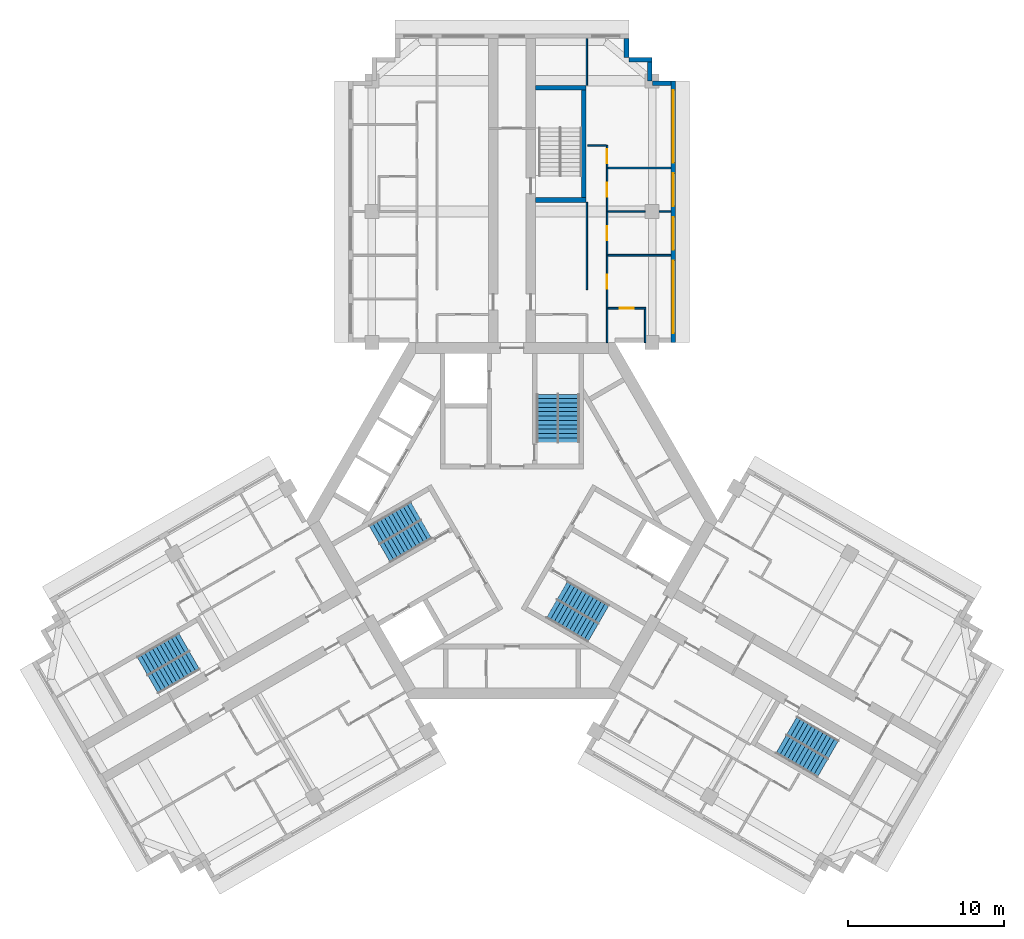
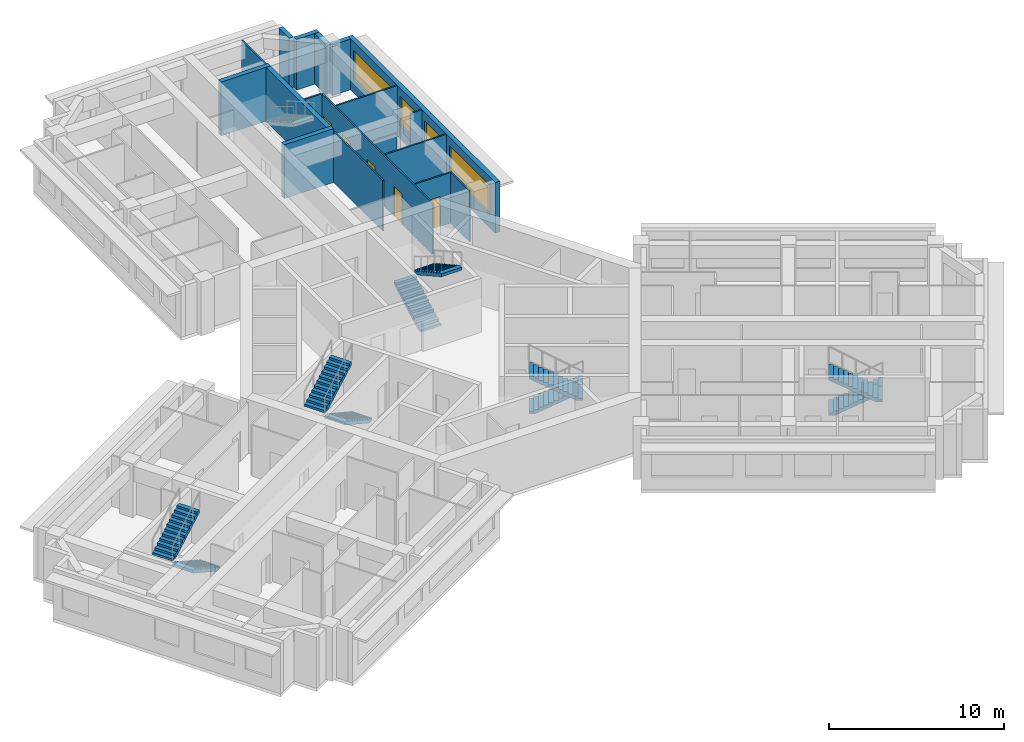
# One storey, part 8 of 10: 18 walls, 10 stair flights, 5 doors, 4 windows, 9 openings, 5 elements without a shape of their own.
"""IFC4 building model written with IfcOpenShell, lengths in metres."""

from ifc_helpers import new_model, si_unit, direction, frame, frame_2d, origin, place, context, subcontext, project, spatial, polyline, rectangle, outline, extrude, material, layer, layer_set, type_object, element, fill, aggregate, save


model = new_model("IFC4")

# Units and contexts
model_context = context("Model", 3, precision=1e-05, world=origin(), true_north=direction((0.0, 1.0)))
body_context = subcontext(model_context, "Body", "Model", "MODEL_VIEW")
ifc_project = project(units=[si_unit("LENGTHUNIT", "METRE"), si_unit("AREAUNIT", "SQUARE_METRE"), si_unit("VOLUMEUNIT", "CUBIC_METRE"), si_unit("PLANEANGLEUNIT", "RADIAN"), si_unit("MASSUNIT", "GRAM", prefix="KILO")], contexts=[model_context])

# Site, building, storey
site_placement = place(None, origin())
site = spatial("IfcSite", under=ifc_project, at=site_placement, CompositionType="ELEMENT")
building_placement = place(site_placement, origin())
building = spatial("IfcBuilding", under=site, at=building_placement, Name="Impinga Residences", CompositionType="ELEMENT")
storey_placement = place(building_placement, frame((0.0, 0.0, 256.0)))
storey = spatial("IfcBuildingStorey", under=building, at=storey_placement, Name="L64", CompositionType="ELEMENT", Elevation=256.0)

# Walls
ifc_material_1 = material(Name="Terracotta rainscreen on blockwork", Category="masonry")
ifc_layer_1 = layer(ifc_material_1, 0.300048828125)
ifc_layer_set_1 = layer_set([ifc_layer_1], Name="EW1 external wall, terracotta rainscreen on blockwork 300")
wall_type_1 = type_object("IfcWallType", Name="EW1 external wall, terracotta rainscreen on blockwork 300", PredefinedType="SOLIDWALL", material=ifc_layer_set_1)
wall_1_placement = place(storey_placement, frame((7.35009765625, 30.931640625, 0.0), z_axis=(0.0, 0.0, 1.0), x_axis=(0.0, -1.0, 0.0)))
element("IfcWall", 1, at=wall_1_placement, inside=storey, type_object=wall_type_1, Name="External wall EW1 L64", PredefinedType="SOLIDWALL", context=body_context, shape_type="SweptSolid", body=[
    extrude(rectangle(XDim=1.195068359375, YDim=0.300048828125, at=frame_2d((0.59765625, 0.0))), origin(), (0.0, 0.0, 1.0), 3.530029296875),
])
wall_2_placement = place(storey_placement, frame((7.5, 29.58154296875, 0.0), z_axis=(0.0, 0.0, 1.0), x_axis=(1.0, 0.0, 0.0)))
element("IfcWall", 2, at=wall_2_placement, inside=storey, type_object=wall_type_1, Name="External wall EW1 L64", PredefinedType="SOLIDWALL", context=body_context, shape_type="SweptSolid", body=[
    extrude(rectangle(XDim=1.5, YDim=0.300048828125, at=frame_2d((0.75, 0.0))), origin(), (0.0, 0.0, 1.0), 3.530029296875),
])
wall_3_placement = place(storey_placement, frame((8.85009765625, 29.431640625, 0.0), z_axis=(0.0, 0.0, 1.0), x_axis=(0.0, -1.0, 0.0)))
element("IfcWall", 3, at=wall_3_placement, inside=storey, type_object=wall_type_1, Name="External wall EW1 L64", PredefinedType="SOLIDWALL", context=body_context, shape_type="SweptSolid", body=[
    extrude(rectangle(XDim=1.2001953125, YDim=0.300048828125, at=frame_2d((0.60009765625, 0.0))), origin(), (0.0, 0.0, 1.0), 3.530029296875),
])
wall_4_placement = place(storey_placement, frame((9.0048828125, 28.08154296875, 0.0), z_axis=(0.0, 0.0, 1.0), x_axis=(1.0, 0.0, 0.0)))
element("IfcWall", 4, at=wall_4_placement, inside=storey, type_object=wall_type_1, Name="External wall EW1 L64", PredefinedType="SOLIDWALL", context=body_context, shape_type="SweptSolid", body=[
    extrude(rectangle(XDim=1.195068359375, YDim=0.300048828125, at=frame_2d((0.59765625, 0.0))), origin(), (0.0, 0.0, 1.0), 3.530029296875),
])

# Wall, openings, windows
wall_5_placement = place(storey_placement, frame((10.35009765625, 28.2314453125, 0.0), z_axis=(0.0, 0.0, 1.0), x_axis=(0.0, -1.0, 0.0)))
wall_5 = element("IfcWall", 5, at=wall_5_placement, inside=storey, type_object=wall_type_1, Name="External wall EW1 L64", PredefinedType="SOLIDWALL", context=body_context, shape_type="SweptSolid", body=[
    extrude(rectangle(XDim=16.7998046875, YDim=0.300048828125, at=frame_2d((8.39990234375, 0.0))), origin(), (0.0, 0.0, 1.0), 3.530029296875),
])
opening_1_placement = place(wall_5_placement, frame((0.60009765625, 0.0, 0.89990234375)))
opening_1 = element("IfcOpeningElement", 6, at=opening_1_placement, cuts=wall_5, Name="Opening W10", PredefinedType="OPENING", context=body_context, shape_type="SweptSolid", body=[
    extrude(rectangle(XDim=4.64990234375, YDim=2.050048828125, at=frame_2d((2.324951171875, 1.02490234375))), frame((0.0, 0.159912109375, 0.0), z_axis=(0.0, -1.0, 0.0), x_axis=(1.0, 0.0, 0.0)), (0.0, 0.0, 1.0), 0.320068359375),
])
opening_2_placement = place(wall_5_placement, frame((5.949951171875, 0.0, 0.89990234375)))
opening_2 = element("IfcOpeningElement", 7, at=opening_2_placement, cuts=wall_5, Name="Opening W9", PredefinedType="OPENING", context=body_context, shape_type="SweptSolid", body=[
    extrude(rectangle(XDim=2.10009765625, YDim=2.050048828125, at=frame_2d((1.050048828125, 1.02490234375))), frame((0.0, 0.159912109375, 0.0), z_axis=(0.0, -1.0, 0.0), x_axis=(1.0, 0.0, 0.0)), (0.0, 0.0, 1.0), 0.320068359375),
])
opening_3_placement = place(wall_5_placement, frame((8.75, 0.0, 0.89990234375)))
opening_3 = element("IfcOpeningElement", 8, at=opening_3_placement, cuts=wall_5, Name="Opening W9", PredefinedType="OPENING", context=body_context, shape_type="SweptSolid", body=[
    extrude(rectangle(XDim=2.10009765625, YDim=2.050048828125, at=frame_2d((1.050048828125, 1.02490234375))), frame((0.0, 0.159912109375, 0.0), z_axis=(0.0, -1.0, 0.0), x_axis=(1.0, 0.0, 0.0)), (0.0, 0.0, 1.0), 0.320068359375),
])
opening_4_placement = place(wall_5_placement, frame((11.550048828125, 0.0, 0.89990234375)))
opening_4 = element("IfcOpeningElement", 9, at=opening_4_placement, cuts=wall_5, Name="Opening W10", PredefinedType="OPENING", context=body_context, shape_type="SweptSolid", body=[
    extrude(rectangle(XDim=4.64990234375, YDim=2.050048828125, at=frame_2d((2.324951171875, 1.02490234375))), frame((0.0, 0.159912109375, 0.0), z_axis=(0.0, -1.0, 0.0), x_axis=(1.0, 0.0, 0.0)), (0.0, 0.0, 1.0), 0.320068359375),
])
ifc_material_2 = material(Name="Aluminium window, clear double glazing", Category="aluminium")
window_type_1 = type_object("IfcWindowType", Name="W10 ribbon window 4650x2050", PartitioningType="SINGLE_PANEL", PredefinedType="WINDOW", material=ifc_material_2)
window_1_placement = place(opening_1_placement, origin())
window_1 = element("IfcWindow", 10, at=window_1_placement, inside=storey, type_object=window_type_1, Name="Window L64", OverallHeight=2.050048828125, OverallWidth=4.64990234375, PartitioningType="SINGLE_PANEL", PredefinedType="WINDOW", context=body_context, shape_type="SweptSolid", body=[
    extrude(rectangle(XDim=4.64990234375, YDim=2.050048828125, at=frame_2d((2.324951171875, 1.02490234375))), frame((0.0, 0.030029296875, 0.0), z_axis=(0.0, -1.0, 0.0), x_axis=(1.0, 0.0, 0.0)), (0.0, 0.0, 1.0), 0.06005859375),
])
fill(opening_1, window_1)
window_2_placement = place(opening_4_placement, origin())
window_2 = element("IfcWindow", 11, at=window_2_placement, inside=storey, type_object=window_type_1, Name="Window L64", OverallHeight=2.050048828125, OverallWidth=4.64990234375, PartitioningType="SINGLE_PANEL", PredefinedType="WINDOW", context=body_context, shape_type="SweptSolid", body=[
    extrude(rectangle(XDim=4.64990234375, YDim=2.050048828125, at=frame_2d((2.324951171875, 1.02490234375))), frame((0.0, 0.030029296875, 0.0), z_axis=(0.0, -1.0, 0.0), x_axis=(1.0, 0.0, 0.0)), (0.0, 0.0, 1.0), 0.06005859375),
])
fill(opening_4, window_2)
window_type_2 = type_object("IfcWindowType", Name="W9 ribbon window 2100x2050", PartitioningType="SINGLE_PANEL", PredefinedType="WINDOW", material=ifc_material_2)
window_3_placement = place(opening_2_placement, origin())
window_3 = element("IfcWindow", 12, at=window_3_placement, inside=storey, type_object=window_type_2, Name="Window L64", OverallHeight=2.050048828125, OverallWidth=2.10009765625, PartitioningType="SINGLE_PANEL", PredefinedType="WINDOW", context=body_context, shape_type="SweptSolid", body=[
    extrude(rectangle(XDim=2.10009765625, YDim=2.050048828125, at=frame_2d((1.050048828125, 1.02490234375))), frame((0.0, 0.030029296875, 0.0), z_axis=(0.0, -1.0, 0.0), x_axis=(1.0, 0.0, 0.0)), (0.0, 0.0, 1.0), 0.06005859375),
])
fill(opening_2, window_3)
window_4_placement = place(opening_3_placement, origin())
window_4 = element("IfcWindow", 13, at=window_4_placement, inside=storey, type_object=window_type_2, Name="Window L64", OverallHeight=2.050048828125, OverallWidth=2.10009765625, PartitioningType="SINGLE_PANEL", PredefinedType="WINDOW", context=body_context, shape_type="SweptSolid", body=[
    extrude(rectangle(XDim=2.10009765625, YDim=2.050048828125, at=frame_2d((1.050048828125, 1.02490234375))), frame((0.0, 0.030029296875, 0.0), z_axis=(0.0, -1.0, 0.0), x_axis=(1.0, 0.0, 0.0)), (0.0, 0.0, 1.0), 0.06005859375),
])
fill(opening_3, window_4)

# Walls
ifc_material_3 = material(Name="Gypsum board on steel studs", Category="steel")
ifc_layer_2 = layer(ifc_material_3, 0.10009765625)
ifc_layer_set_2 = layer_set([ifc_layer_2], Name="Gypsum board on steel studs")
wall_type_2 = type_object("IfcWallType", Name="IP1 partition 100", PredefinedType="PARTITIONING", material=ifc_layer_set_2)
wall_6_placement = place(storey_placement, frame((4.800048828125, 14.83154296875, 0.0), z_axis=(0.0, 0.0, 1.0), x_axis=(0.0, 1.0, 0.0)))
element("IfcWall", 14, at=wall_6_placement, inside=storey, type_object=wall_type_2, Name="Partition L64-NF1:DIV1", PredefinedType="PARTITIONING", context=body_context, shape_type="SweptSolid", body=[
    extrude(rectangle(XDim=5.60009765625, YDim=0.10009765625, at=frame_2d((2.800048828125, 0.0))), origin(), (0.0, 0.0, 1.0), 3.530029296875),
])
wall_7_placement = place(storey_placement, frame((4.800048828125, 27.931640625, 0.0), z_axis=(0.0, 0.0, 1.0), x_axis=(0.0, 1.0, 0.0)))
element("IfcWall", 15, at=wall_7_placement, inside=storey, type_object=wall_type_2, Name="Partition L64-NF1:DIV2", PredefinedType="PARTITIONING", context=body_context, shape_type="SweptSolid", body=[
    extrude(rectangle(XDim=3.0, YDim=0.10009765625, at=frame_2d((1.5, 0.0))), origin(), (0.0, 0.0, 1.0), 3.530029296875),
])

# Wall, openings, doors
wall_8_placement = place(storey_placement, frame((6.10009765625, 11.431640625, 0.0), z_axis=(0.0, 0.0, 1.0), x_axis=(0.0, 1.0, 0.0)))
wall_8 = element("IfcWall", 16, at=wall_8_placement, inside=storey, type_object=wall_type_2, Name="Partition L64-NF1:STRIP", PredefinedType="PARTITIONING", context=body_context, shape_type="SweptSolid", body=[
    extrude(rectangle(XDim=12.64990234375, YDim=0.10009765625, at=frame_2d((6.324951171875, 0.0))), origin(), (0.0, 0.0, 1.0), 3.530029296875),
])
opening_5_placement = place(wall_8_placement, frame((3.449951171875, 0.0, 0.0)))
opening_5 = element("IfcOpeningElement", 17, at=opening_5_placement, cuts=wall_8, Name="Opening D2", PredefinedType="OPENING", context=body_context, shape_type="SweptSolid", body=[
    extrude(rectangle(XDim=0.89990234375, YDim=2.10009765625, at=frame_2d((0.449951171875, 1.050048828125))), frame((0.0, 0.06005859375, 0.0), z_axis=(0.0, -1.0, 0.0), x_axis=(1.0, 0.0, 0.0)), (0.0, 0.0, 1.0), 0.1201171875),
])
opening_6_placement = place(wall_8_placement, frame((6.550048828125, 0.0, 0.0)))
opening_6 = element("IfcOpeningElement", 18, at=opening_6_placement, cuts=wall_8, Name="Opening D2", PredefinedType="OPENING", context=body_context, shape_type="SweptSolid", body=[
    extrude(rectangle(XDim=0.89990234375, YDim=2.10009765625, at=frame_2d((0.449951171875, 1.050048828125))), frame((0.0, 0.06005859375, 0.0), z_axis=(0.0, -1.0, 0.0), x_axis=(1.0, 0.0, 0.0)), (0.0, 0.0, 1.0), 0.1201171875),
])
opening_7_placement = place(wall_8_placement, frame((9.35009765625, 0.0, 0.0)))
opening_7 = element("IfcOpeningElement", 19, at=opening_7_placement, cuts=wall_8, Name="Opening D2", PredefinedType="OPENING", context=body_context, shape_type="SweptSolid", body=[
    extrude(rectangle(XDim=0.89990234375, YDim=2.10009765625, at=frame_2d((0.449951171875, 1.050048828125))), frame((0.0, 0.06005859375, 0.0), z_axis=(0.0, -1.0, 0.0), x_axis=(1.0, 0.0, 0.0)), (0.0, 0.0, 1.0), 0.1201171875),
])
opening_8_placement = place(wall_8_placement, frame((11.5, 0.0, 0.0)))
opening_8 = element("IfcOpeningElement", 20, at=opening_8_placement, cuts=wall_8, Name="Opening D2", PredefinedType="OPENING", context=body_context, shape_type="SweptSolid", body=[
    extrude(rectangle(XDim=0.89990234375, YDim=2.10009765625, at=frame_2d((0.449951171875, 1.050048828125))), frame((0.0, 0.06005859375, 0.0), z_axis=(0.0, -1.0, 0.0), x_axis=(1.0, 0.0, 0.0)), (0.0, 0.0, 1.0), 0.1201171875),
])
ifc_material_4 = material(Name="Timber door set", Category="wood")
door_type = type_object("IfcDoorType", Name="D2 internal door 900x2100", OperationType="SINGLE_SWING_LEFT", PredefinedType="DOOR", material=ifc_material_4)
door_1_placement = place(opening_5_placement, origin())
door_1 = element("IfcDoor", 21, at=door_1_placement, inside=storey, type_object=door_type, Name="Apartment L64-NF1 room door", OperationType="SINGLE_SWING_LEFT", OverallHeight=2.10009765625, OverallWidth=0.89990234375, PredefinedType="DOOR", context=body_context, shape_type="SweptSolid", body=[
    extrude(rectangle(XDim=0.89990234375, YDim=2.10009765625, at=frame_2d((0.449951171875, 1.050048828125))), frame((0.0, 0.02490234375, 0.0), z_axis=(0.0, -1.0, 0.0), x_axis=(1.0, 0.0, 0.0)), (0.0, 0.0, 1.0), 0.050048828125),
])
fill(opening_5, door_1)
door_2_placement = place(opening_6_placement, origin())
door_2 = element("IfcDoor", 22, at=door_2_placement, inside=storey, type_object=door_type, Name="Apartment L64-NF1 room door", OperationType="SINGLE_SWING_RIGHT", OverallHeight=2.10009765625, OverallWidth=0.89990234375, PredefinedType="DOOR", context=body_context, shape_type="SweptSolid", body=[
    extrude(rectangle(XDim=0.89990234375, YDim=2.10009765625, at=frame_2d((0.449951171875, 1.050048828125))), frame((0.0, 0.02490234375, 0.0), z_axis=(0.0, -1.0, 0.0), x_axis=(1.0, 0.0, 0.0)), (0.0, 0.0, 1.0), 0.050048828125),
])
fill(opening_6, door_2)
door_3_placement = place(opening_7_placement, origin())
door_3 = element("IfcDoor", 23, at=door_3_placement, inside=storey, type_object=door_type, Name="Apartment L64-NF1 room door", OperationType="SINGLE_SWING_RIGHT", OverallHeight=2.10009765625, OverallWidth=0.89990234375, PredefinedType="DOOR", context=body_context, shape_type="SweptSolid", body=[
    extrude(rectangle(XDim=0.89990234375, YDim=2.10009765625, at=frame_2d((0.449951171875, 1.050048828125))), frame((0.0, 0.02490234375, 0.0), z_axis=(0.0, -1.0, 0.0), x_axis=(1.0, 0.0, 0.0)), (0.0, 0.0, 1.0), 0.050048828125),
])
fill(opening_7, door_3)
door_4_placement = place(opening_8_placement, origin())
door_4 = element("IfcDoor", 24, at=door_4_placement, inside=storey, type_object=door_type, Name="Apartment L64-NF1 room door", OperationType="SINGLE_SWING_RIGHT", OverallHeight=2.10009765625, OverallWidth=0.89990234375, PredefinedType="DOOR", context=body_context, shape_type="SweptSolid", body=[
    extrude(rectangle(XDim=0.89990234375, YDim=2.10009765625, at=frame_2d((0.449951171875, 1.050048828125))), frame((0.0, 0.02490234375, 0.0), z_axis=(0.0, -1.0, 0.0), x_axis=(1.0, 0.0, 0.0)), (0.0, 0.0, 1.0), 0.050048828125),
])
fill(opening_8, door_4)

# Walls
wall_9_placement = place(storey_placement, frame((4.85009765625, 24.08154296875, 0.0), z_axis=(0.0, 0.0, 1.0), x_axis=(1.0, 0.0, 0.0)))
element("IfcWall", 25, at=wall_9_placement, inside=storey, type_object=wall_type_2, Name="Partition L64-NF1:SE1", PredefinedType="PARTITIONING", context=body_context, shape_type="SweptSolid", body=[
    extrude(rectangle(XDim=1.199951171875, YDim=0.10009765625, at=frame_2d((0.60009765625, 0.0))), origin(), (0.0, 0.0, 1.0), 3.530029296875),
])
wall_10_placement = place(storey_placement, frame((6.14990234375, 17.031494140625, 0.0), z_axis=(0.0, 0.0, 1.0), x_axis=(1.0, 0.0, 0.0)))
element("IfcWall", 26, at=wall_10_placement, inside=storey, type_object=wall_type_2, Name="Partition L64-NF1:OB1", PredefinedType="PARTITIONING", context=body_context, shape_type="SweptSolid", body=[
    extrude(rectangle(XDim=4.050048828125, YDim=0.10009765625, at=frame_2d((2.02490234375, 0.0))), origin(), (0.0, 0.0, 1.0), 3.530029296875),
])
wall_11_placement = place(storey_placement, frame((6.14990234375, 19.83154296875, 0.0), z_axis=(0.0, 0.0, 1.0), x_axis=(1.0, 0.0, 0.0)))
element("IfcWall", 27, at=wall_11_placement, inside=storey, type_object=wall_type_2, Name="Partition L64-NF1:OB2", PredefinedType="PARTITIONING", context=body_context, shape_type="SweptSolid", body=[
    extrude(rectangle(XDim=2.400146484375, YDim=0.10009765625, at=frame_2d((1.2001953125, 0.0))), origin(), (0.0, 0.0, 1.0), 2.47998046875),
])
wall_12_placement = place(storey_placement, frame((9.449951171875, 19.83154296875, 0.0), z_axis=(0.0, 0.0, 1.0), x_axis=(1.0, 0.0, 0.0)))
element("IfcWall", 28, at=wall_12_placement, inside=storey, type_object=wall_type_2, Name="Partition L64-NF1:OB2b", PredefinedType="PARTITIONING", context=body_context, shape_type="SweptSolid", body=[
    extrude(rectangle(XDim=0.75, YDim=0.10009765625, at=frame_2d((0.375, 0.0))), origin(), (0.0, 0.0, 1.0), 3.530029296875),
])
wall_13_placement = place(storey_placement, frame((6.14990234375, 22.631591796875, 0.0), z_axis=(0.0, 0.0, 1.0), x_axis=(1.0, 0.0, 0.0)))
element("IfcWall", 29, at=wall_13_placement, inside=storey, type_object=wall_type_2, Name="Partition L64-NF1:OB3", PredefinedType="PARTITIONING", context=body_context, shape_type="SweptSolid", body=[
    extrude(rectangle(XDim=4.050048828125, YDim=0.10009765625, at=frame_2d((2.02490234375, 0.0))), origin(), (0.0, 0.0, 1.0), 3.530029296875),
])

# Wall, opening, door
wall_14_placement = place(storey_placement, frame((6.14990234375, 13.631591796875, 0.0), z_axis=(0.0, 0.0, 1.0), x_axis=(1.0, 0.0, 0.0)))
wall_14 = element("IfcWall", 30, at=wall_14_placement, inside=storey, type_object=wall_type_2, Name="Partition L64-NF1:EN1", PredefinedType="PARTITIONING", context=body_context, shape_type="SweptSolid", body=[
    extrude(rectangle(XDim=2.4501953125, YDim=0.10009765625, at=frame_2d((1.22509765625, 0.0))), origin(), (0.0, 0.0, 1.0), 3.530029296875),
])
opening_9_placement = place(wall_14_placement, frame((0.75, 0.0, 0.0)))
opening_9 = element("IfcOpeningElement", 31, at=opening_9_placement, cuts=wall_14, Name="Opening D2", PredefinedType="OPENING", context=body_context, shape_type="SweptSolid", body=[
    extrude(rectangle(XDim=0.89990234375, YDim=2.10009765625, at=frame_2d((0.449951171875, 1.050048828125))), frame((0.0, 0.06005859375, 0.0), z_axis=(0.0, -1.0, 0.0), x_axis=(1.0, 0.0, 0.0)), (0.0, 0.0, 1.0), 0.1201171875),
])
door_5_placement = place(opening_9_placement, origin())
door_5 = element("IfcDoor", 32, at=door_5_placement, inside=storey, type_object=door_type, Name="Apartment L64-NF1 en-suite door", OperationType="SINGLE_SWING_LEFT", OverallHeight=2.10009765625, OverallWidth=0.89990234375, PredefinedType="DOOR", context=body_context, shape_type="SweptSolid", body=[
    extrude(rectangle(XDim=0.89990234375, YDim=2.10009765625, at=frame_2d((0.449951171875, 1.050048828125))), frame((0.0, 0.02490234375, 0.0), z_axis=(0.0, -1.0, 0.0), x_axis=(1.0, 0.0, 0.0)), (0.0, 0.0, 1.0), 0.050048828125),
])
fill(opening_9, door_5)

# Walls
wall_15_placement = place(storey_placement, frame((8.550048828125, 11.431640625, 0.0), z_axis=(0.0, 0.0, 1.0), x_axis=(0.0, 1.0, 0.0)))
element("IfcWall", 33, at=wall_15_placement, inside=storey, type_object=wall_type_2, Name="Partition L64-NF1:EN2", PredefinedType="PARTITIONING", context=body_context, shape_type="SweptSolid", body=[
    extrude(rectangle(XDim=2.14990234375, YDim=0.10009765625, at=frame_2d((1.074951171875, 0.0))), origin(), (0.0, 0.0, 1.0), 3.530029296875),
])
ifc_material_5 = material(Name="Concrete C60/75", Category="concrete")
ifc_layer_3 = layer(ifc_material_5, 0.300048828125)
ifc_layer_set_3 = layer_set([ifc_layer_3], Name="Concrete C60/75")
wall_type_3 = type_object("IfcWallType", Name="SE1 wing stair enclosure wall 300", PredefinedType="SOLIDWALL", material=ifc_layer_set_3)
for number, where, z_axis, x_axis, name in (
    (34, (1.5, 20.58154296875, 0.0), (0.0, 0.0, 1.0), (1.0, 0.0, 0.0), "Stair enclosure wall SE1 N END0 L64"),
    (35, (1.5, 27.781494140625, 0.0), (0.0, 0.0, 1.0), (1.0, 0.0, 0.0), "Stair enclosure wall SE1 N END1 L64"),
):
    element("IfcWall", number, at=place(storey_placement, frame(where, z_axis=z_axis, x_axis=x_axis)), inside=storey, type_object=wall_type_3, Name=name, PredefinedType="SOLIDWALL", context=body_context, shape_type="SweptSolid", body=[
        extrude(rectangle(XDim=3.25, YDim=0.300048828125, at=frame_2d((1.625, 0.0))), origin(), (0.0, 0.0, 1.0), 3.75),
    ])
wall_16_placement = place(storey_placement, frame((4.60009765625, 20.7314453125, 0.0), z_axis=(0.0, 0.0, 1.0), x_axis=(0.0, 1.0, 0.0)))
element("IfcWall", 36, at=wall_16_placement, inside=storey, type_object=wall_type_3, Name="Stair enclosure wall SE1 N OUT L64", PredefinedType="SOLIDWALL", context=body_context, shape_type="SweptSolid", body=[
    extrude(rectangle(XDim=6.900146484375, YDim=0.300048828125, at=frame_2d((3.4501953125, 0.0))), origin(), (0.0, 0.0, 1.0), 3.75),
])

# Stair, stair flights
ifc_material_6 = material(Name="Concrete C40/50", Category="concrete")
stair_type_1 = type_object("IfcStairType", Name="STR core stair 3750 storey, 24 risers", PredefinedType="HALF_TURN_STAIR", material=ifc_material_6)
stair_1_placement = place(storey_placement, origin())
stair_1 = element("IfcStair", 37, at=stair_1_placement, inside=storey, type_object=stair_type_1, Name="Stair ST1 L64", PredefinedType="HALF_TURN_STAIR")
stair_flight_type = type_object("IfcStairFlightType", Name="SF 12 risers of 156", PredefinedType="STRAIGHT", material=ifc_material_6)
stair_flight_1_placement = place(storey_placement, frame((2.27490234375, 5.030029296875, 0.0), z_axis=(0.0, 0.0, 1.0), x_axis=(0.0, 1.0, 0.0)))
stair_flight_1 = element("IfcStairFlight", 38, at=stair_flight_1_placement, type_object=stair_flight_type, Name="ST1 flight 1", NumberOfRisers=12, NumberOfTreads=11, PredefinedType="STRAIGHT", RiserHeight=0.15625, TreadLength=0.28, context=body_context, shape_type="SweptSolid", body=[
    extrude(outline(polyline([(0.0, 0.0), (0.0, 0.15625), (0.280029296875, 0.15625), (0.280029296875, 0.3125), (0.56005859375, 0.3125), (0.56005859375, 0.46875), (0.840087890625, 0.46875), (0.840087890625, 0.625), (1.1201171875, 0.625), (1.1201171875, 0.78125), (1.39990234375, 0.78125), (1.39990234375, 0.9375), (1.679931640625, 0.9375), (1.679931640625, 1.09375), (1.9599609375, 1.09375), (1.9599609375, 1.25), (2.239990234375, 1.25), (2.239990234375, 1.40625), (2.52001953125, 1.40625), (2.52001953125, 1.5625), (2.800048828125, 1.5625), (2.800048828125, 1.71875), (3.080078125, 1.71875), (3.080078125, 1.875), (3.080078125, 1.5126953125), (0.369140625, 0.0), (0.0, 0.0)])), frame((0.0, 0.675048828125, 0.0), z_axis=(0.0, -1.0, 0.0), x_axis=(1.0, 0.0, 0.0)), (0.0, 0.0, 1.0), 1.35009765625),
])
stair_flight_2_placement = place(storey_placement, frame((3.625, 8.110107421875, 1.875), z_axis=(0.0, 0.0, 1.0), x_axis=(0.0, -1.0, 0.0)))
stair_flight_2 = element("IfcStairFlight", 39, at=stair_flight_2_placement, type_object=stair_flight_type, Name="ST1 flight 2", NumberOfRisers=12, NumberOfTreads=11, PredefinedType="STRAIGHT", RiserHeight=0.15625, TreadLength=0.28, context=body_context, shape_type="SweptSolid", body=[
    extrude(outline(polyline([(0.0, 0.0), (0.0, 0.15625), (0.280029296875, 0.15625), (0.280029296875, 0.3125), (0.56005859375, 0.3125), (0.56005859375, 0.46875), (0.840087890625, 0.46875), (0.840087890625, 0.625), (1.1201171875, 0.625), (1.1201171875, 0.78125), (1.39990234375, 0.78125), (1.39990234375, 0.9375), (1.679931640625, 0.9375), (1.679931640625, 1.09375), (1.9599609375, 1.09375), (1.9599609375, 1.25), (2.239990234375, 1.25), (2.239990234375, 1.40625), (2.52001953125, 1.40625), (2.52001953125, 1.5625), (2.800048828125, 1.5625), (2.800048828125, 1.71875), (3.080078125, 1.71875), (3.080078125, 1.875), (3.080078125, 1.5126953125), (0.369140625, 0.0), (0.0, 0.0)])), frame((0.0, 0.675048828125, 0.0), z_axis=(0.0, -1.0, 0.0), x_axis=(1.0, 0.0, 0.0)), (0.0, 0.0, 1.0), 1.35009765625),
])
aggregate(stair_1, [stair_flight_1, stair_flight_2])

stair_2_placement = place(storey_placement, origin())
stair_2 = element("IfcStair", 40, at=stair_2_placement, inside=storey, type_object=stair_type_1, Name="Stair ST2 L64", PredefinedType="HALF_TURN_STAIR")
stair_flight_3_placement = place(storey_placement, frame((-5.49365234375, -0.544677734375, 0.0), z_axis=(0.0, 0.0, 1.0), x_axis=(-0.866025403784, -0.5, 0.0)))
stair_flight_3 = element("IfcStairFlight", 41, at=stair_flight_3_placement, type_object=stair_flight_type, Name="ST2 flight 1", NumberOfRisers=12, NumberOfTreads=11, PredefinedType="STRAIGHT", RiserHeight=0.15625, TreadLength=0.28, context=body_context, shape_type="SweptSolid", body=[
    extrude(outline(polyline([(0.0, 0.0), (0.0, 0.15625), (0.280029296875, 0.15625), (0.280029296875, 0.3125), (0.56005859375, 0.3125), (0.56005859375, 0.46875), (0.840087890625, 0.46875), (0.840087890625, 0.625), (1.1201171875, 0.625), (1.1201171875, 0.78125), (1.39990234375, 0.78125), (1.39990234375, 0.9375), (1.679931640625, 0.9375), (1.679931640625, 1.09375), (1.9599609375, 1.09375), (1.9599609375, 1.25), (2.239990234375, 1.25), (2.239990234375, 1.40625), (2.52001953125, 1.40625), (2.52001953125, 1.5625), (2.800048828125, 1.5625), (2.800048828125, 1.71875), (3.080078125, 1.71875), (3.080078125, 1.875), (3.080078125, 1.5126953125), (0.369140625, 0.0), (0.0, 0.0)])), frame((0.0, 0.675048828125, 0.0), z_axis=(0.0, -1.0, 0.0), x_axis=(1.0, 0.0, 0.0)), (0.0, 0.0, 1.0), 1.35009765625),
])
stair_flight_4_placement = place(storey_placement, frame((-8.8359375, -0.915771484375, 1.875), z_axis=(0.0, 0.0, 1.0), x_axis=(0.866025403784, 0.5, 0.0)))
stair_flight_4 = element("IfcStairFlight", 42, at=stair_flight_4_placement, type_object=stair_flight_type, Name="ST2 flight 2", NumberOfRisers=12, NumberOfTreads=11, PredefinedType="STRAIGHT", RiserHeight=0.15625, TreadLength=0.28, context=body_context, shape_type="SweptSolid", body=[
    extrude(outline(polyline([(0.0, 0.0), (0.0, 0.15625), (0.280029296875, 0.15625), (0.280029296875, 0.3125), (0.56005859375, 0.3125), (0.56005859375, 0.46875), (0.840087890625, 0.46875), (0.840087890625, 0.625), (1.1201171875, 0.625), (1.1201171875, 0.78125), (1.39990234375, 0.78125), (1.39990234375, 0.9375), (1.679931640625, 0.9375), (1.679931640625, 1.09375), (1.9599609375, 1.09375), (1.9599609375, 1.25), (2.239990234375, 1.25), (2.239990234375, 1.40625), (2.52001953125, 1.40625), (2.52001953125, 1.5625), (2.800048828125, 1.5625), (2.800048828125, 1.71875), (3.080078125, 1.71875), (3.080078125, 1.875), (3.080078125, 1.5126953125), (0.369140625, 0.0), (0.0, 0.0)])), frame((0.0, 0.675048828125, 0.0), z_axis=(0.0, -1.0, 0.0), x_axis=(1.0, 0.0, 0.0)), (0.0, 0.0, 1.0), 1.35009765625),
])
aggregate(stair_2, [stair_flight_3, stair_flight_4])

stair_3_placement = place(storey_placement, origin())
stair_3 = element("IfcStair", 43, at=stair_3_placement, inside=storey, type_object=stair_type_1, Name="Stair ST3 L64", PredefinedType="HALF_TURN_STAIR")
stair_flight_5_placement = place(storey_placement, frame((3.218505859375, -4.485107421875, 0.0), z_axis=(0.0, 0.0, 1.0), x_axis=(0.866025403784, -0.5, 0.0)))
stair_flight_5 = element("IfcStairFlight", 44, at=stair_flight_5_placement, type_object=stair_flight_type, Name="ST3 flight 1", NumberOfRisers=12, NumberOfTreads=11, PredefinedType="STRAIGHT", RiserHeight=0.15625, TreadLength=0.28, context=body_context, shape_type="SweptSolid", body=[
    extrude(outline(polyline([(0.0, 0.0), (0.0, 0.15625), (0.280029296875, 0.15625), (0.280029296875, 0.3125), (0.56005859375, 0.3125), (0.56005859375, 0.46875), (0.840087890625, 0.46875), (0.840087890625, 0.625), (1.1201171875, 0.625), (1.1201171875, 0.78125), (1.39990234375, 0.78125), (1.39990234375, 0.9375), (1.679931640625, 0.9375), (1.679931640625, 1.09375), (1.9599609375, 1.09375), (1.9599609375, 1.25), (2.239990234375, 1.25), (2.239990234375, 1.40625), (2.52001953125, 1.40625), (2.52001953125, 1.5625), (2.800048828125, 1.5625), (2.800048828125, 1.71875), (3.080078125, 1.71875), (3.080078125, 1.875), (3.080078125, 1.5126953125), (0.369140625, 0.0), (0.0, 0.0)])), frame((0.0, 0.675048828125, 0.0), z_axis=(0.0, -1.0, 0.0), x_axis=(1.0, 0.0, 0.0)), (0.0, 0.0, 1.0), 1.35009765625),
])
stair_flight_6_placement = place(storey_placement, frame((5.2109375, -7.1943359375, 1.875), z_axis=(0.0, 0.0, 1.0), x_axis=(-0.866025403784, 0.5, 0.0)))
stair_flight_6 = element("IfcStairFlight", 45, at=stair_flight_6_placement, type_object=stair_flight_type, Name="ST3 flight 2", NumberOfRisers=12, NumberOfTreads=11, PredefinedType="STRAIGHT", RiserHeight=0.15625, TreadLength=0.28, context=body_context, shape_type="SweptSolid", body=[
    extrude(outline(polyline([(0.0, 0.0), (0.0, 0.15625), (0.280029296875, 0.15625), (0.280029296875, 0.3125), (0.56005859375, 0.3125), (0.56005859375, 0.46875), (0.840087890625, 0.46875), (0.840087890625, 0.625), (1.1201171875, 0.625), (1.1201171875, 0.78125), (1.39990234375, 0.78125), (1.39990234375, 0.9375), (1.679931640625, 0.9375), (1.679931640625, 1.09375), (1.9599609375, 1.09375), (1.9599609375, 1.25), (2.239990234375, 1.25), (2.239990234375, 1.40625), (2.52001953125, 1.40625), (2.52001953125, 1.5625), (2.800048828125, 1.5625), (2.800048828125, 1.71875), (3.080078125, 1.71875), (3.080078125, 1.875), (3.080078125, 1.5126953125), (0.369140625, 0.0), (0.0, 0.0)])), frame((0.0, 0.675048828125, 0.0), z_axis=(0.0, -1.0, 0.0), x_axis=(1.0, 0.0, 0.0)), (0.0, 0.0, 1.0), 1.35009765625),
])
aggregate(stair_3, [stair_flight_5, stair_flight_6])

stair_type_2 = type_object("IfcStairType", Name="STR wing stair 3750 storey, 24 risers", PredefinedType="HALF_TURN_STAIR", material=ifc_material_6)
stair_4_placement = place(storey_placement, origin())
stair_4 = element("IfcStair", 46, at=stair_4_placement, inside=storey, type_object=stair_type_2, Name="Stair WS2 L64", PredefinedType="HALF_TURN_STAIR")
stair_flight_7_placement = place(storey_placement, frame((-20.37890625, -8.965576171875, 0.0), z_axis=(0.0, 0.0, 1.0), x_axis=(-0.866025403784, -0.5, 0.0)))
stair_flight_7 = element("IfcStairFlight", 47, at=stair_flight_7_placement, type_object=stair_flight_type, Name="WS2 flight 1", NumberOfRisers=12, NumberOfTreads=11, PredefinedType="STRAIGHT", RiserHeight=0.15625, TreadLength=0.28, context=body_context, shape_type="SweptSolid", body=[
    extrude(outline(polyline([(0.0, 0.0), (0.0, 0.15625), (0.280029296875, 0.15625), (0.280029296875, 0.3125), (0.56005859375, 0.3125), (0.56005859375, 0.46875), (0.840087890625, 0.46875), (0.840087890625, 0.625), (1.1201171875, 0.625), (1.1201171875, 0.78125), (1.39990234375, 0.78125), (1.39990234375, 0.9375), (1.679931640625, 0.9375), (1.679931640625, 1.09375), (1.9599609375, 1.09375), (1.9599609375, 1.25), (2.239990234375, 1.25), (2.239990234375, 1.40625), (2.52001953125, 1.40625), (2.52001953125, 1.5625), (2.800048828125, 1.5625), (2.800048828125, 1.71875), (3.080078125, 1.71875), (3.080078125, 1.875), (3.080078125, 1.5126953125), (0.369140625, 0.0), (0.0, 0.0)])), frame((0.0, 0.675048828125, 0.0), z_axis=(0.0, -1.0, 0.0), x_axis=(1.0, 0.0, 0.0)), (0.0, 0.0, 1.0), 1.35009765625),
])
stair_flight_8_placement = place(storey_placement, frame((-23.721435546875, -9.33642578125, 1.875), z_axis=(0.0, 0.0, 1.0), x_axis=(0.866025403784, 0.5, 0.0)))
stair_flight_8 = element("IfcStairFlight", 48, at=stair_flight_8_placement, type_object=stair_flight_type, Name="WS2 flight 2", NumberOfRisers=12, NumberOfTreads=11, PredefinedType="STRAIGHT", RiserHeight=0.15625, TreadLength=0.28, context=body_context, shape_type="SweptSolid", body=[
    extrude(outline(polyline([(0.0, 0.0), (0.0, 0.15625), (0.280029296875, 0.15625), (0.280029296875, 0.3125), (0.56005859375, 0.3125), (0.56005859375, 0.46875), (0.840087890625, 0.46875), (0.840087890625, 0.625), (1.1201171875, 0.625), (1.1201171875, 0.78125), (1.39990234375, 0.78125), (1.39990234375, 0.9375), (1.679931640625, 0.9375), (1.679931640625, 1.09375), (1.9599609375, 1.09375), (1.9599609375, 1.25), (2.239990234375, 1.25), (2.239990234375, 1.40625), (2.52001953125, 1.40625), (2.52001953125, 1.5625), (2.800048828125, 1.5625), (2.800048828125, 1.71875), (3.080078125, 1.71875), (3.080078125, 1.875), (3.080078125, 1.5126953125), (0.369140625, 0.0), (0.0, 0.0)])), frame((0.0, 0.675048828125, 0.0), z_axis=(0.0, -1.0, 0.0), x_axis=(1.0, 0.0, 0.0)), (0.0, 0.0, 1.0), 1.35009765625),
])
aggregate(stair_4, [stair_flight_7, stair_flight_8])

stair_5_placement = place(storey_placement, origin())
stair_5 = element("IfcStair", 49, at=stair_5_placement, inside=storey, type_object=stair_type_2, Name="Stair WS3 L64", PredefinedType="HALF_TURN_STAIR")
stair_flight_9_placement = place(storey_placement, frame((17.953857421875, -13.165771484375, 0.0), z_axis=(0.0, 0.0, 1.0), x_axis=(0.866025403784, -0.5, 0.0)))
stair_flight_9 = element("IfcStairFlight", 50, at=stair_flight_9_placement, type_object=stair_flight_type, Name="WS3 flight 1", NumberOfRisers=12, NumberOfTreads=11, PredefinedType="STRAIGHT", RiserHeight=0.15625, TreadLength=0.28, context=body_context, shape_type="SweptSolid", body=[
    extrude(outline(polyline([(0.0, 0.0), (0.0, 0.15625), (0.280029296875, 0.15625), (0.280029296875, 0.3125), (0.56005859375, 0.3125), (0.56005859375, 0.46875), (0.840087890625, 0.46875), (0.840087890625, 0.625), (1.1201171875, 0.625), (1.1201171875, 0.78125), (1.39990234375, 0.78125), (1.39990234375, 0.9375), (1.679931640625, 0.9375), (1.679931640625, 1.09375), (1.9599609375, 1.09375), (1.9599609375, 1.25), (2.239990234375, 1.25), (2.239990234375, 1.40625), (2.52001953125, 1.40625), (2.52001953125, 1.5625), (2.800048828125, 1.5625), (2.800048828125, 1.71875), (3.080078125, 1.71875), (3.080078125, 1.875), (3.080078125, 1.5126953125), (0.369140625, 0.0), (0.0, 0.0)])), frame((0.0, 0.675048828125, 0.0), z_axis=(0.0, -1.0, 0.0), x_axis=(1.0, 0.0, 0.0)), (0.0, 0.0, 1.0), 1.35009765625),
])
stair_flight_10_placement = place(storey_placement, frame((19.9462890625, -15.875, 1.875), z_axis=(0.0, 0.0, 1.0), x_axis=(-0.866025403784, 0.5, 0.0)))
stair_flight_10 = element("IfcStairFlight", 51, at=stair_flight_10_placement, type_object=stair_flight_type, Name="WS3 flight 2", NumberOfRisers=12, NumberOfTreads=11, PredefinedType="STRAIGHT", RiserHeight=0.15625, TreadLength=0.28, context=body_context, shape_type="SweptSolid", body=[
    extrude(outline(polyline([(0.0, 0.0), (0.0, 0.15625), (0.280029296875, 0.15625), (0.280029296875, 0.3125), (0.56005859375, 0.3125), (0.56005859375, 0.46875), (0.840087890625, 0.46875), (0.840087890625, 0.625), (1.1201171875, 0.625), (1.1201171875, 0.78125), (1.39990234375, 0.78125), (1.39990234375, 0.9375), (1.679931640625, 0.9375), (1.679931640625, 1.09375), (1.9599609375, 1.09375), (1.9599609375, 1.25), (2.239990234375, 1.25), (2.239990234375, 1.40625), (2.52001953125, 1.40625), (2.52001953125, 1.5625), (2.800048828125, 1.5625), (2.800048828125, 1.71875), (3.080078125, 1.71875), (3.080078125, 1.875), (3.080078125, 1.5126953125), (0.369140625, 0.0), (0.0, 0.0)])), frame((0.0, 0.675048828125, 0.0), z_axis=(0.0, -1.0, 0.0), x_axis=(1.0, 0.0, 0.0)), (0.0, 0.0, 1.0), 1.35009765625),
])
aggregate(stair_5, [stair_flight_9, stair_flight_10])

save(model, "model.ifc")
